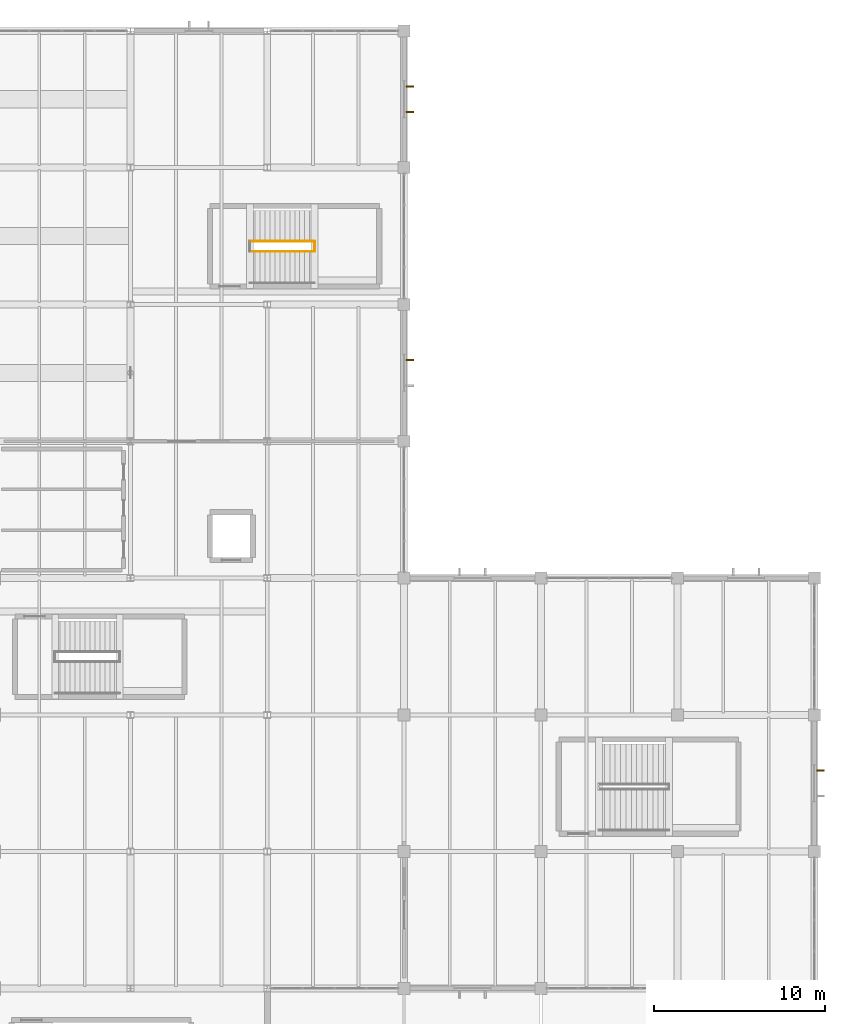
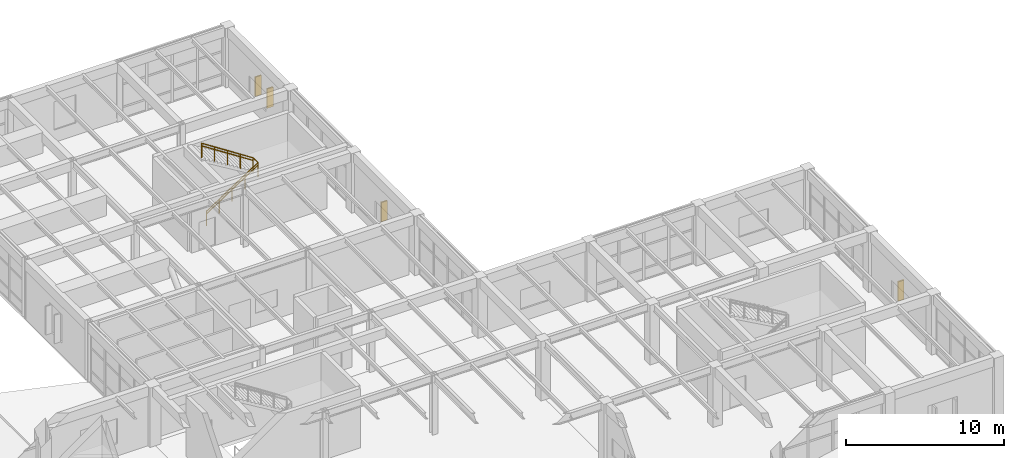
# One storey, part 60 of 60: 4 railings, 4 shading devices.
"""IFC4 building model written with IfcOpenShell, lengths in metres."""

from ifc_helpers import new_model, si_unit, direction, frame, origin, origin_2d, place, context, subcontext, project, spatial, rectangle, circle, extrude, material, type_object, element, save


model = new_model("IFC4")

# Units and contexts
model_context = context("Model", 3, precision=1e-05, world=origin(), true_north=direction((0.0, 1.0)))
body_context = subcontext(model_context, "Body", "Model", "MODEL_VIEW")
ifc_project = project(units=[si_unit("LENGTHUNIT", "METRE"), si_unit("AREAUNIT", "SQUARE_METRE"), si_unit("VOLUMEUNIT", "CUBIC_METRE"), si_unit("PLANEANGLEUNIT", "RADIAN"), si_unit("MASSUNIT", "GRAM", prefix="KILO")], contexts=[model_context])

# Site, building, storey
site_placement = place(None, origin())
site = spatial("IfcSite", under=ifc_project, at=site_placement, CompositionType="ELEMENT")
building_placement = place(site_placement, origin())
building = spatial("IfcBuilding", under=site, at=building_placement, Name="Varnela Railside Interchange", CompositionType="ELEMENT")
storey_placement = place(building_placement, frame((0.0, 0.0, 6.300048828125)))
storey = spatial("IfcBuildingStorey", under=building, at=storey_placement, Name="L01", CompositionType="ELEMENT", Elevation=6.300048828125)

# Railings
ifc_material_1 = material(Name="Steel AR 350 (350 MPa)", Category="steel")
railing_type_1 = type_object("IfcRailingType", Name="Stair & Ramp Pitch Handrail HR-01", PredefinedType="HANDRAIL", material=ifc_material_1)
railing_1_placement = place(storey_placement, frame((131.0, 81.10009765625, 0.0)))
element("IfcRailing", 1, at=railing_1_placement, inside=storey, type_object=railing_type_1, Name="Stair Handrail ST-E2 Flight 1 (RL-0307)", PredefinedType="HANDRAIL", context=body_context, shape_type="SweptSolid", body=[
    extrude(circle(Radius=0.02392578125, at=origin_2d()), frame((0.0, 0.0, 0.89599609375), z_axis=(0.838500679196, 0.0, 0.544900551466), x_axis=(0.0, 1.0, 0.0)), (0.0, 0.0, 1.0), 4.49609375),
    extrude(circle(Radius=0.02099609375, at=origin_2d()), origin(), (0.0, 0.0, 1.0), 0.871826171875),
    extrude(circle(Radius=0.02099609375, at=origin_2d()), frame((0.9423828125, 0.0, 0.612548828125)), (0.0, 0.0, 1.0), 0.871826171875),
    extrude(circle(Radius=0.02099609375, at=origin_2d()), frame((1.885009765625, 0.0, 1.22509765625)), (0.0, 0.0, 1.0), 0.871826171875),
    extrude(circle(Radius=0.02099609375, at=origin_2d()), frame((2.82763671875, 0.0, 1.83740234375)), (0.0, 0.0, 1.0), 0.871826171875),
    extrude(circle(Radius=0.02099609375, at=origin_2d()), frame((3.77001953125, 0.0, 2.449951171875)), (0.0, 0.0, 1.0), 0.871826171875),
])
railing_2_placement = place(storey_placement, frame((134.77001953125, 81.699951171875, 2.449951171875)))
element("IfcRailing", 2, at=railing_2_placement, inside=storey, type_object=railing_type_1, Name="Stair Handrail ST-E2 Flight 2 (RL-0308)", PredefinedType="HANDRAIL", context=body_context, shape_type="SweptSolid", body=[
    extrude(circle(Radius=0.02392578125, at=origin_2d()), frame((0.0, 0.0, 0.89599609375), z_axis=(-0.838500679196, 0.0, 0.544900551466), x_axis=(0.0, -1.0, 0.0)), (0.0, 0.0, 1.0), 4.49609375),
    extrude(circle(Radius=0.02099609375, at=origin_2d()), origin(), (0.0, 0.0, 1.0), 0.871826171875),
    extrude(circle(Radius=0.02099609375, at=origin_2d()), frame((-0.9423828125, 0.0, 0.612548828125)), (0.0, 0.0, 1.0), 0.871826171875),
    extrude(circle(Radius=0.02099609375, at=origin_2d()), frame((-1.885009765625, 0.0, 1.22509765625)), (0.0, 0.0, 1.0), 0.871826171875),
    extrude(circle(Radius=0.02099609375, at=origin_2d()), frame((-2.82763671875, 0.0, 1.83740234375)), (0.0, 0.0, 1.0), 0.871826171875),
    extrude(circle(Radius=0.02099609375, at=origin_2d()), frame((-3.77001953125, 0.0, 2.449951171875)), (0.0, 0.0, 1.0), 0.871826171875),
])
railing_type_2 = type_object("IfcRailingType", Name="Stair Well & Landing Guard GR-02", PredefinedType="GUARDRAIL", material=ifc_material_1)
railing_3_placement = place(storey_placement, frame((131.0, 81.10009765625, 0.0)))
element("IfcRailing", 3, at=railing_3_placement, inside=storey, type_object=railing_type_2, Name="Stair Guard ST-E2 Half-Landing (RL-0274)", PredefinedType="GUARDRAIL", context=body_context, shape_type="SweptSolid", body=[
    extrude(circle(Radius=0.02392578125, at=origin_2d()), frame((0.0, 0.0, 1.09619140625), z_axis=(0.838500679196, 0.0, 0.544900551466), x_axis=(0.0, 1.0, 0.0)), (0.0, 0.0, 1.0), 4.49609375),
    extrude(circle(Radius=0.02392578125, at=origin_2d()), frame((3.77001953125, 0.0, 3.5458984375), z_axis=(0.0, 1.0, 0.0), x_axis=(-1.0, 0.0, 0.0)), (0.0, 0.0, 1.0), 0.599853515625),
    extrude(circle(Radius=0.02099609375, at=origin_2d()), origin(), (0.0, 0.0, 1.0), 1.072021484375),
    extrude(circle(Radius=0.02099609375, at=origin_2d()), frame((0.9423828125, 0.0, 0.612548828125)), (0.0, 0.0, 1.0), 1.072021484375),
    extrude(circle(Radius=0.02099609375, at=origin_2d()), frame((1.885009765625, 0.0, 1.22509765625)), (0.0, 0.0, 1.0), 1.072021484375),
    extrude(circle(Radius=0.02099609375, at=origin_2d()), frame((2.82763671875, 0.0, 1.83740234375)), (0.0, 0.0, 1.0), 1.072021484375),
    extrude(circle(Radius=0.02099609375, at=origin_2d()), frame((3.77001953125, 0.0, 2.449951171875)), (0.0, 0.0, 1.0), 1.072021484375),
    extrude(circle(Radius=0.02099609375, at=origin_2d()), frame((3.77001953125, 0.599853515625, 2.449951171875)), (0.0, 0.0, 1.0), 1.072021484375),
])
railing_4_placement = place(storey_placement, frame((134.77001953125, 81.699951171875, 2.449951171875)))
element("IfcRailing", 4, at=railing_4_placement, inside=storey, type_object=railing_type_2, Name="Stair Guard ST-E2 Upper Flight (RL-0275)", PredefinedType="GUARDRAIL", context=body_context, shape_type="SweptSolid", body=[
    extrude(circle(Radius=0.02392578125, at=origin_2d()), frame((0.0, 0.0, 1.09619140625), z_axis=(-0.838500679196, 0.0, 0.544900551466), x_axis=(0.0, -1.0, 0.0)), (0.0, 0.0, 1.0), 4.49609375),
    extrude(circle(Radius=0.02099609375, at=origin_2d()), origin(), (0.0, 0.0, 1.0), 1.072021484375),
    extrude(circle(Radius=0.02099609375, at=origin_2d()), frame((-0.9423828125, 0.0, 0.612548828125)), (0.0, 0.0, 1.0), 1.072021484375),
    extrude(circle(Radius=0.02099609375, at=origin_2d()), frame((-1.885009765625, 0.0, 1.22509765625)), (0.0, 0.0, 1.0), 1.072021484375),
    extrude(circle(Radius=0.02099609375, at=origin_2d()), frame((-2.82763671875, 0.0, 1.83740234375)), (0.0, 0.0, 1.0), 1.072021484375),
    extrude(circle(Radius=0.02099609375, at=origin_2d()), frame((-3.77001953125, 0.0, 2.449951171875)), (0.0, 0.0, 1.0), 1.072021484375),
])

# Shading devices
ifc_material_2 = material(Name="Concrete C40 precast", Category="concrete")
shading_device_type = type_object("IfcShadingDeviceType", Name="Terracotta Vertical Sun Fin BS-02", PredefinedType="USERDEFINED", material=ifc_material_2)
for number, where, z_axis, x_axis, name in (
    (5, (140.35009765625, 90.75244140625, 0.949951171875), (0.0, 0.0, 1.0), (1.0, 0.0, 0.0), "Terracotta Vertical Sun Fin BS-02 (L01)"),
    (6, (140.35009765625, 89.24755859375, 0.949951171875), (0.0, 0.0, 1.0), (1.0, 0.0, 0.0), "Terracotta Vertical Sun Fin BS-02 (L01)"),
    (7, (140.35009765625, 74.75244140625, 0.949951171875), (0.0, 0.0, 1.0), (1.0, 0.0, 0.0), "Terracotta Vertical Sun Fin BS-02 (L01)"),
    (8, (164.35009765625, 50.75244140625, 0.949951171875), (0.0, 0.0, 1.0), (1.0, 0.0, 0.0), "Terracotta Vertical Sun Fin BS-02 (L01)"),
):
    element("IfcShadingDevice", number, at=place(storey_placement, frame(where, z_axis=z_axis, x_axis=x_axis)), inside=storey, type_object=shading_device_type, Name=name, ObjectType="FIN", PredefinedType="USERDEFINED", context=body_context, shape_type="SweptSolid", body=[
        extrude(rectangle(XDim=0.449951171875, YDim=0.10009765625, at=origin_2d()), origin(), (0.0, 0.0, 1.0), 1.5),
    ])

save(model, "model.ifc")
